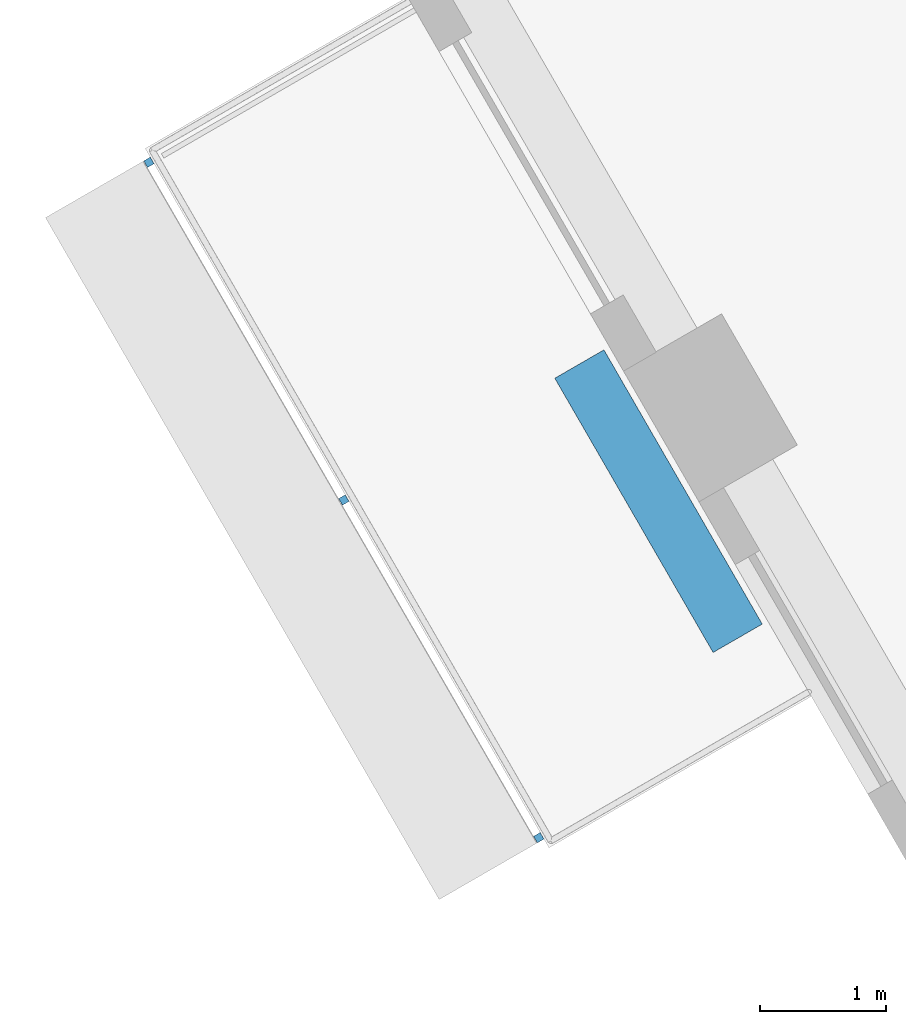
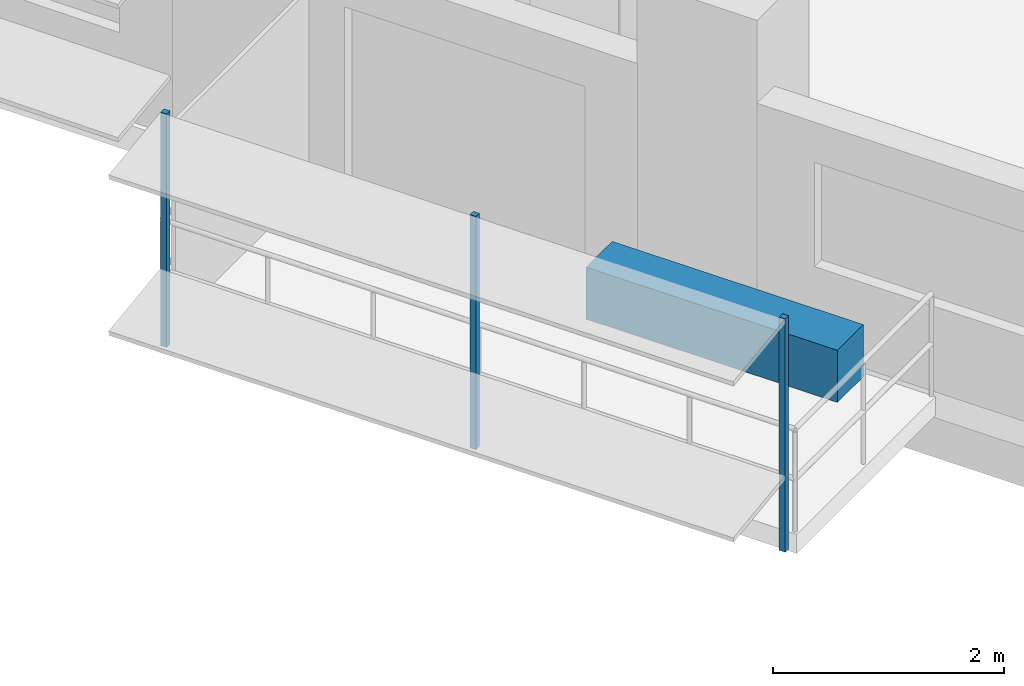
# One storey, part 11 of 16: 4 discrete accessories.
"""IFC4 building model written with IfcOpenShell, lengths in metres."""

from ifc_helpers import new_model, si_unit, direction, frame, origin, origin_2d, place, context, subcontext, project, spatial, rectangle, extrude, material, type_object, element, save


model = new_model("IFC4")

# Units and contexts
model_context = context("Model", 3, precision=1e-05, world=origin(), true_north=direction((0.0, 1.0)))
body_context = subcontext(model_context, "Body", "Model", "MODEL_VIEW")
ifc_project = project(units=[si_unit("LENGTHUNIT", "METRE"), si_unit("AREAUNIT", "SQUARE_METRE"), si_unit("VOLUMEUNIT", "CUBIC_METRE"), si_unit("PLANEANGLEUNIT", "RADIAN"), si_unit("MASSUNIT", "GRAM", prefix="KILO")], contexts=[model_context])

# Site, building, storey
site_placement = place(None, origin())
site = spatial("IfcSite", under=ifc_project, at=site_placement, CompositionType="ELEMENT")
building_placement = place(site_placement, origin())
building = spatial("IfcBuilding", under=site, at=building_placement, Name="Nakaniwa Court", CompositionType="ELEMENT")
storey_placement = place(building_placement, frame((0.0, 0.0, 196.5)))
storey = spatial("IfcBuildingStorey", under=building, at=storey_placement, Name="L51", CompositionType="ELEMENT", Elevation=196.5)

# Discrete accessories
ifc_material_1 = material(Name="Black powder-coated steel bracket S275", Category="steel")
discrete_accessory_type_1 = type_object("IfcDiscreteAccessoryType", Name="Black metal louvre bracket", PredefinedType="BRACKET", material=ifc_material_1)
for number, where, z_axis, x_axis, name in (
    (1, (56.412109375, 70.69580078125, -0.22998046875), (0.0, 0.0, 1.0), (0.499986396443, -0.866033257659, 0.0), "L51 louvre bracket 01 1"),
    (2, (57.956787109375, 68.02001953125, -0.22998046875), (0.0, 0.0, 1.0), (0.499986396443, -0.866033257659, 0.0), "L51 louvre bracket 01 2"),
    (3, (59.50146484375, 65.34423828125, -0.22998046875), (0.0, 0.0, 1.0), (0.499986396443, -0.866033257659, 0.0), "L51 louvre bracket 01 3"),
):
    element("IfcDiscreteAccessory", number, at=place(storey_placement, frame(where, z_axis=z_axis, x_axis=x_axis)), inside=storey, type_object=discrete_accessory_type_1, Name=name, PredefinedType="BRACKET", context=body_context, shape_type="SweptSolid", body=[
        extrude(rectangle(XDim=0.06005859375, YDim=0.06005859375, at=origin_2d()), origin(), (0.0, 0.0, 1.0), 2.46337890625),
    ])
ifc_material_2 = material(Name="Precast concrete C40/50 planter with planted soil", Category="concrete")
discrete_accessory_type_2 = type_object("IfcDiscreteAccessoryType", Name="Planter box charcoal concrete", PredefinedType="USERDEFINED", material=ifc_material_2)
discrete_accessory_placement = place(storey_placement, frame((60.450439453125, 68.0107421875, -0.0498046875), z_axis=(0.0, 0.0, 1.0), x_axis=(0.499986396443, -0.866033257659, 0.0)))
element("IfcDiscreteAccessory", 4, at=discrete_accessory_placement, inside=storey, type_object=discrete_accessory_type_2, Name="L51 balcony PLANTER 01", ObjectType="PLANTER", PredefinedType="USERDEFINED", context=body_context, shape_type="SweptSolid", body=[
    extrude(rectangle(XDim=2.509521484375, YDim=0.449951171875, at=origin_2d()), origin(), (0.0, 0.0, 1.0), 0.550048828125),
])

save(model, "model.ifc")
